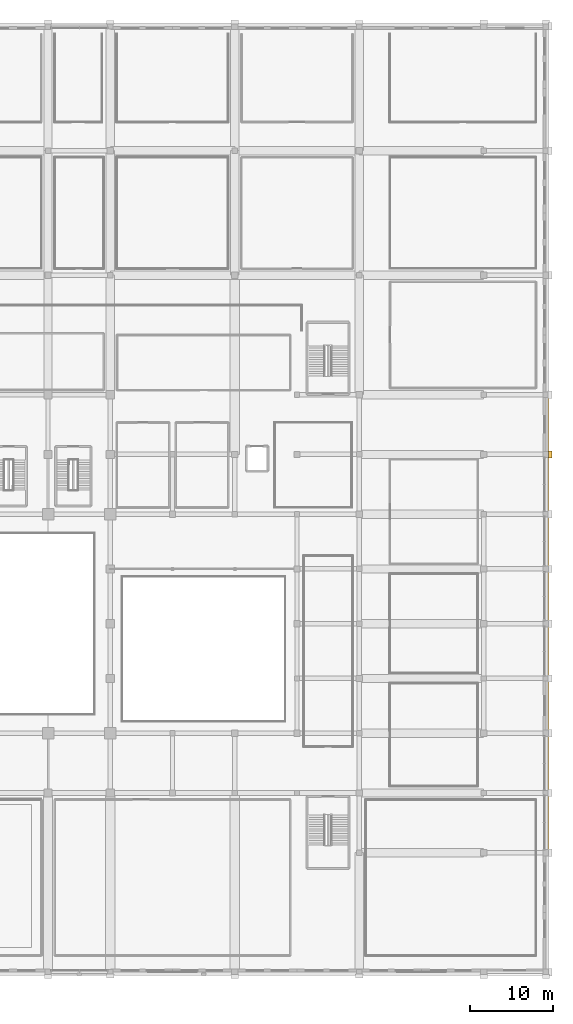
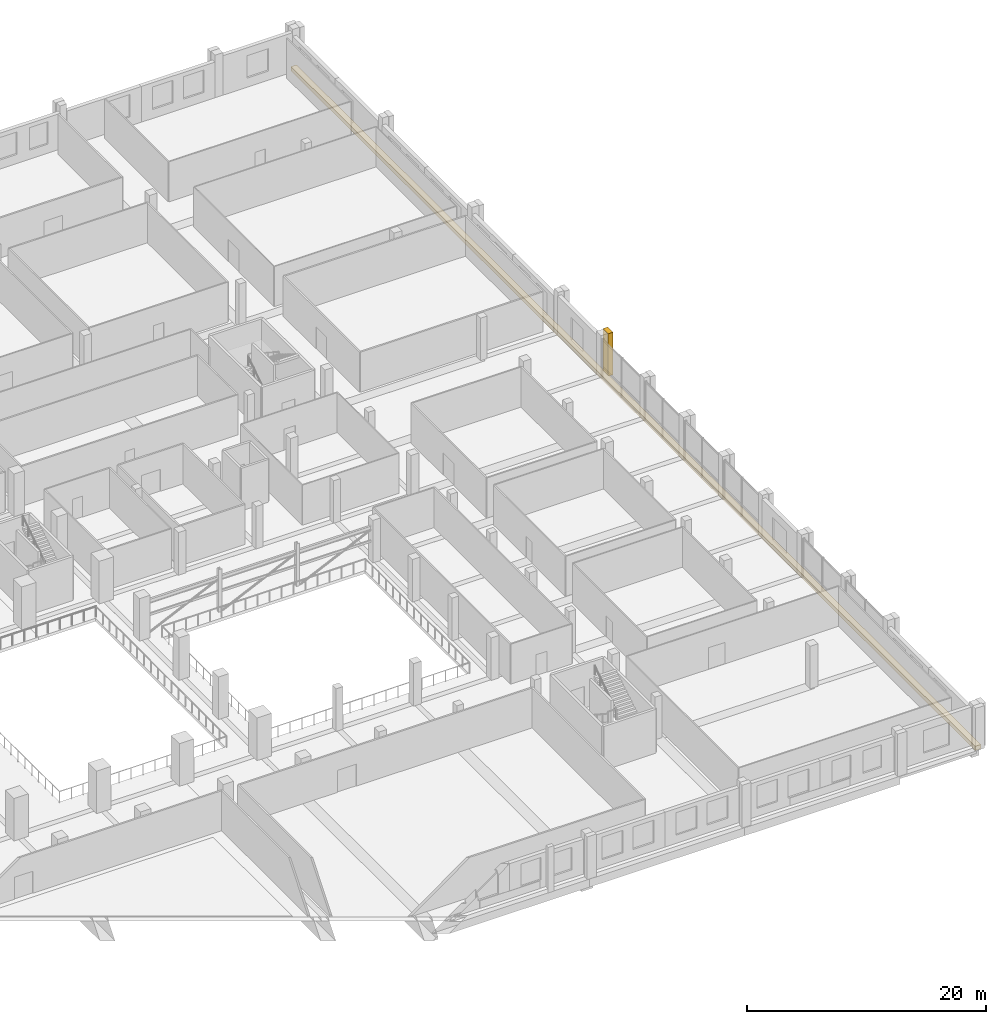
# One storey, part 63 of 64: 2 coverings.
"""IFC4 building model written with IfcOpenShell, lengths in metres."""

from ifc_helpers import new_model, si_unit, direction, frame, origin, origin_2d, place, context, subcontext, project, spatial, rectangle, extrude, material, layer, layer_set, type_object, element, save


model = new_model("IFC4")

# Units and contexts
model_context = context("Model", 3, precision=1e-05, world=origin(), true_north=direction((0.0, 1.0)))
body_context = subcontext(model_context, "Body", "Model", "MODEL_VIEW")
ifc_project = project(units=[si_unit("LENGTHUNIT", "METRE"), si_unit("AREAUNIT", "SQUARE_METRE"), si_unit("VOLUMEUNIT", "CUBIC_METRE"), si_unit("PLANEANGLEUNIT", "RADIAN"), si_unit("MASSUNIT", "GRAM", prefix="KILO")], contexts=[model_context])

# Site, building, storey
site_placement = place(None, origin())
site = spatial("IfcSite", under=ifc_project, at=site_placement, CompositionType="ELEMENT")
building_placement = place(site_placement, origin())
building = spatial("IfcBuilding", under=site, at=building_placement, Name="Akrevak Sports Hall", CompositionType="ELEMENT")
storey_placement = place(building_placement, frame((0.0, 0.0, 4.60009765625)))
storey = spatial("IfcBuildingStorey", under=building, at=storey_placement, Name="L01", CompositionType="ELEMENT", Elevation=4.60009765625)

# Coverings
ifc_material = material(Name="Limestone Ashlar", Category="stone")
ifc_layer_1 = layer(ifc_material, 0.6201171875, Name="Limestone Ashlar")
ifc_layer_set_1 = layer_set([ifc_layer_1], Name="Limestone Ashlar")
covering_type_1 = type_object("IfcCoveringType", Name="ARC-COV-CRN-LIM", PredefinedType="MOLDING", material=ifc_layer_set_1)
covering_1_placement = place(storey_placement, frame((168.110107421875, 57.0, -0.330078125), z_axis=(0.0, 0.0, 1.0), x_axis=(0.0, 1.0, 0.0)))
element("IfcCovering", 1, at=covering_1_placement, inside=storey, type_object=covering_type_1, Name="Street Arcade Limestone Entablature L01-ARC-02", PredefinedType="MOLDING", context=body_context, shape_type="SweptSolid", body=[
    extrude(rectangle(XDim=114.531982421875, YDim=0.5400390625, at=origin_2d()), origin(), (0.0, 0.0, 1.0), 0.419921875),
])
ifc_layer_2 = layer(ifc_material, 0.47998046875, Name="Limestone Ashlar")
ifc_layer_set_2 = layer_set([ifc_layer_2], Name="Limestone Ashlar")
covering_type_2 = type_object("IfcCoveringType", Name="ARC-COV-PIL-LIM", PredefinedType="CLADDING", material=ifc_layer_set_2)
covering_2_placement = place(storey_placement, frame((168.52490234375, 62.39990234375, -0.000244140625), z_axis=(0.0, 0.0, 1.0), x_axis=(0.0, 1.0, 0.0)))
element("IfcCovering", 2, at=covering_2_placement, inside=storey, type_object=covering_type_2, Name="Giant-Order Limestone Pilaster L01-02-21", PredefinedType="CLADDING", context=body_context, shape_type="SweptSolid", body=[
    extrude(rectangle(XDim=0.8798828125, YDim=0.4599609375, at=origin_2d()), origin(), (0.0, 0.0, 1.0), 4.35009765625),
])

save(model, "model.ifc")
